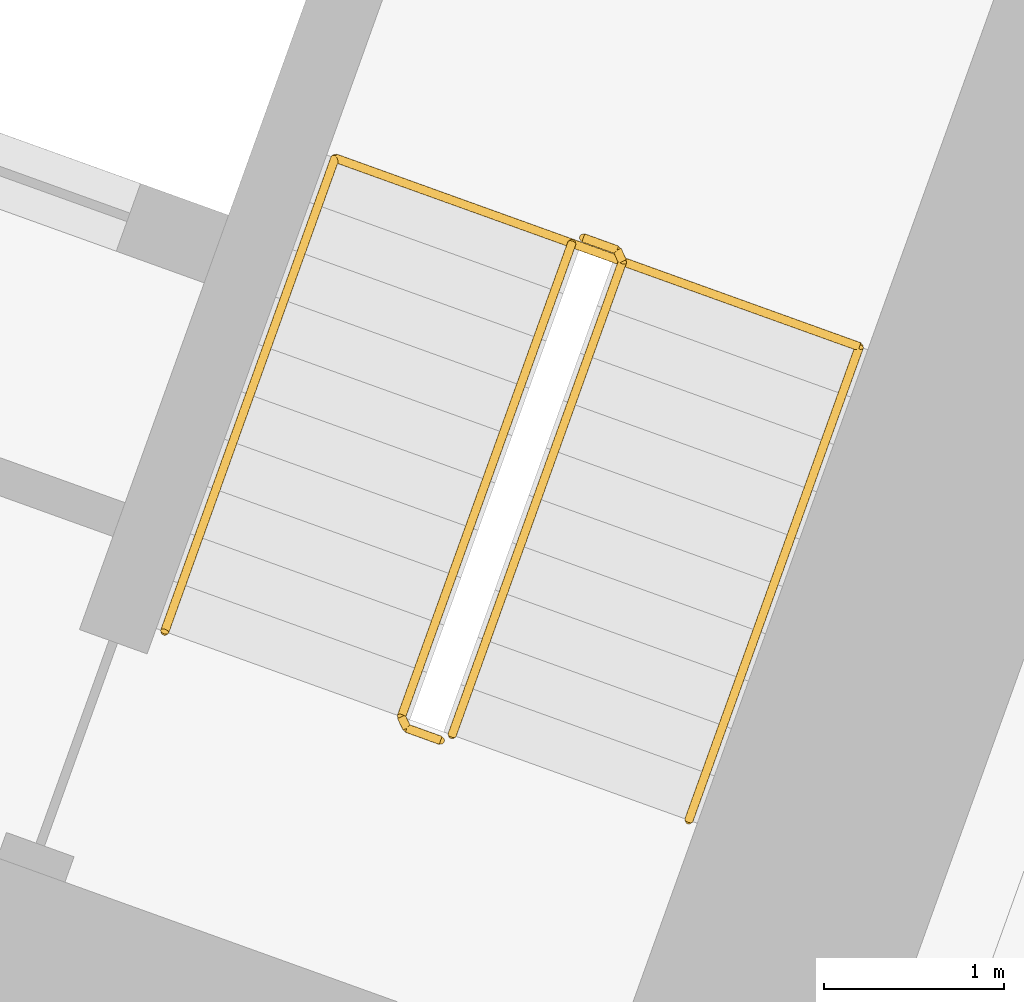
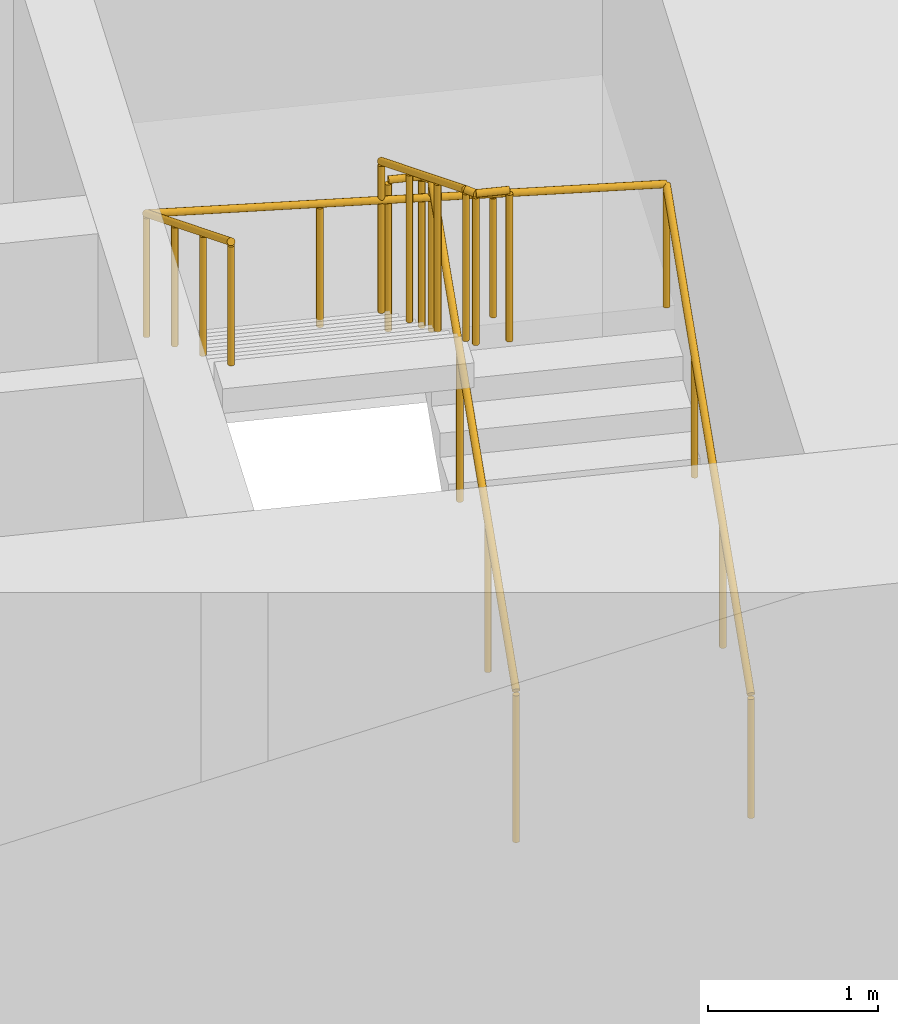
# One storey, part 19 of 19: 3 railings.
"""IFC4 building model written with IfcOpenShell, lengths in metres."""

from ifc_helpers import new_model, si_unit, direction, frame, origin, origin_2d, place, context, subcontext, project, spatial, circle, extrude, material, type_object, element, save


model = new_model("IFC4")

# Units and contexts
model_context = context("Model", 3, precision=1e-05, world=origin(), true_north=direction((0.0, 1.0)))
body_context = subcontext(model_context, "Body", "Model", "MODEL_VIEW")
ifc_project = project(units=[si_unit("LENGTHUNIT", "METRE"), si_unit("AREAUNIT", "SQUARE_METRE"), si_unit("VOLUMEUNIT", "CUBIC_METRE"), si_unit("PLANEANGLEUNIT", "RADIAN"), si_unit("MASSUNIT", "GRAM", prefix="KILO")], contexts=[model_context])

# Site, building, storey
site_placement = place(None, origin())
site = spatial("IfcSite", under=ifc_project, at=site_placement, CompositionType="ELEMENT")
building_placement = place(site_placement, origin())
building = spatial("IfcBuilding", under=site, at=building_placement, Name="Stone Belt Terrace Tower", CompositionType="ELEMENT")
storey_placement = place(building_placement, frame((0.0, 0.0, 128.800048828125)))
storey = spatial("IfcBuildingStorey", under=building, at=storey_placement, Name="L31", CompositionType="ELEMENT", Elevation=128.800048828125)

# Railings
ifc_material = material(Name="Structural steel C345", Category="steel")
railing_type_1 = type_object("IfcRailingType", Name="Stair guard 1100", PredefinedType="GUARDRAIL", material=ifc_material)
railing_1_placement = place(storey_placement, frame((24.494140625, 45.174560546875, 0.172607421875)))
element("IfcRailing", 1, at=railing_1_placement, inside=storey, type_object=railing_type_1, Name="L31 ST1B stair guard 1", PredefinedType="GUARDRAIL", context=body_context, shape_type="SweptSolid", body=[
    extrude(circle(Radius=0.02392578125, at=origin_2d()), frame((0.0, 0.0, 1.076171875), z_axis=(0.288228637646, 0.800791768495, 0.525030280985), x_axis=(-0.940908529223, 0.338660803216, 0.0)), (0.0, 0.0, 1.0), 3.289794921875),
    extrude(circle(Radius=0.02392578125, at=origin_2d()), frame((0.9482421875, 2.634521484375, 2.80322265625), z_axis=(-0.424964916, 0.905209821074, 0.0), x_axis=(-0.905209821074, -0.424964916, 0.0)), (0.0, 0.0, 1.0), 0.070556640625),
    extrude(circle(Radius=0.02392578125, at=origin_2d()), frame((0.918212890625, 2.698486328125, 2.80322265625), z_axis=(-0.941105063269, 0.338114270461, 0.0), x_axis=(-0.338114270461, -0.941105063269, 0.0)), (0.0, 0.0, 1.0), 0.199951171875),
    extrude(circle(Radius=0.02099609375, at=origin_2d()), origin(), (0.0, 0.0, 1.0), 1.052001953125),
    extrude(circle(Radius=0.02099609375, at=origin_2d()), frame((0.316162109375, 0.878173828125, 0.57568359375)), (0.0, 0.0, 1.0), 1.052001953125),
    extrude(circle(Radius=0.02099609375, at=origin_2d()), frame((0.632080078125, 1.75634765625, 1.151611328125)), (0.0, 0.0, 1.0), 1.052001953125),
    extrude(circle(Radius=0.02099609375, at=origin_2d()), frame((0.9482421875, 2.634521484375, 1.727294921875)), (0.0, 0.0, 1.0), 1.052001953125),
    extrude(circle(Radius=0.02099609375, at=origin_2d()), frame((0.918212890625, 2.698486328125, 1.727294921875)), (0.0, 0.0, 1.0), 1.052001953125),
    extrude(circle(Radius=0.02099609375, at=origin_2d()), frame((0.72998046875, 2.76611328125, 1.727294921875)), (0.0, 0.0, 1.0), 1.052001953125),
])
railing_2_placement = place(storey_placement, frame((25.16015625, 47.91064453125, 2.07275390625)))
element("IfcRailing", 2, at=railing_2_placement, inside=storey, type_object=railing_type_1, Name="L31 ST1B stair guard 2", PredefinedType="GUARDRAIL", context=body_context, shape_type="SweptSolid", body=[
    extrude(circle(Radius=0.02392578125, at=origin_2d()), frame((0.0, 0.0, 1.076171875), z_axis=(-0.288228637646, -0.800791768495, 0.525030280985), x_axis=(0.940908529223, -0.338660803216, 0.0)), (0.0, 0.0, 1.0), 3.289794921875),
    extrude(circle(Radius=0.02392578125, at=origin_2d()), frame((-0.9482421875, -2.634521484375, 2.80322265625), z_axis=(0.427789722475, -0.903878284585, 0.0), x_axis=(0.903878284585, 0.427789722475, 0.0)), (0.0, 0.0, 1.0), 0.07080078125),
    extrude(circle(Radius=0.02392578125, at=origin_2d()), frame((-0.91796875, -2.698486328125, 2.80322265625), z_axis=(0.940575576748, -0.339584429008, 0.0), x_axis=(0.339584429008, 0.940575576748, 0.0)), (0.0, 0.0, 1.0), 0.199951171875),
    extrude(circle(Radius=0.02099609375, at=origin_2d()), origin(), (0.0, 0.0, 1.0), 1.052001953125),
    extrude(circle(Radius=0.02099609375, at=origin_2d()), frame((-0.316162109375, -0.878173828125, 0.57568359375)), (0.0, 0.0, 1.0), 1.052001953125),
    extrude(circle(Radius=0.02099609375, at=origin_2d()), frame((-0.632080078125, -1.75634765625, 1.151611328125)), (0.0, 0.0, 1.0), 1.052001953125),
    extrude(circle(Radius=0.02099609375, at=origin_2d()), frame((-0.9482421875, -2.634521484375, 1.727294921875)), (0.0, 0.0, 1.0), 1.052001953125),
    extrude(circle(Radius=0.02099609375, at=origin_2d()), frame((-0.91796875, -2.698486328125, 1.727294921875)), (0.0, 0.0, 1.0), 1.052001953125),
    extrude(circle(Radius=0.02099609375, at=origin_2d()), frame((-0.72998046875, -2.766357421875, 1.727294921875)), (0.0, 0.0, 1.0), 1.052001953125),
])
railing_type_2 = type_object("IfcRailingType", Name="Stair handrail 900", PredefinedType="HANDRAIL", material=ifc_material)
railing_3_placement = place(storey_placement, frame((25.8115234375, 44.700439453125, 0.172607421875)))
element("IfcRailing", 3, at=railing_3_placement, inside=storey, type_object=railing_type_2, Name="L31 ST1B stair handrail 1", PredefinedType="HANDRAIL", context=body_context, shape_type="SweptSolid", body=[
    extrude(circle(Radius=0.02392578125, at=origin_2d()), frame((0.0, 0.0, 0.8759765625), z_axis=(0.288228637646, 0.800791768495, 0.525030280985), x_axis=(-0.940908529223, 0.338660803216, 0.0)), (0.0, 0.0, 1.0), 3.289794921875),
    extrude(circle(Radius=0.02392578125, at=origin_2d()), frame((0.9482421875, 2.634521484375, 2.60302734375), z_axis=(-0.939460408074, 0.338105101667, 0.055669398135), x_axis=(-0.338630230244, -0.940919532779, 0.0)), (0.0, 0.0, 1.0), 3.10498046875),
    extrude(circle(Radius=0.02392578125, at=origin_2d()), frame((-1.96875, 3.684326171875, 2.77587890625), z_axis=(-0.288160591223, -0.800808895155, 0.52504150989), x_axis=(0.940936311087, -0.338583606334, 0.0)), (0.0, 0.0, 1.0), 3.289794921875),
    extrude(circle(Radius=0.02099609375, at=origin_2d()), origin(), (0.0, 0.0, 1.0), 0.851806640625),
    extrude(circle(Radius=0.02099609375, at=origin_2d()), frame((0.316162109375, 0.878173828125, 0.57568359375)), (0.0, 0.0, 1.0), 0.851806640625),
    extrude(circle(Radius=0.02099609375, at=origin_2d()), frame((0.632080078125, 1.75634765625, 1.151611328125)), (0.0, 0.0, 1.0), 0.851806640625),
    extrude(circle(Radius=0.02099609375, at=origin_2d()), frame((0.9482421875, 2.634521484375, 1.727294921875)), (0.0, 0.0, 1.0), 0.851806640625),
    extrude(circle(Radius=0.02099609375, at=origin_2d()), frame((-0.024169921875, 2.984375, 1.784912109375)), (0.0, 0.0, 1.0), 0.851806640625),
    extrude(circle(Radius=0.02099609375, at=origin_2d()), frame((-0.996337890625, 3.33447265625, 1.842529296875)), (0.0, 0.0, 1.0), 0.851806640625),
    extrude(circle(Radius=0.02099609375, at=origin_2d()), frame((-1.96875, 3.684326171875, 1.900146484375)), (0.0, 0.0, 1.0), 0.851806640625),
    extrude(circle(Radius=0.02099609375, at=origin_2d()), frame((-2.28466796875, 2.80615234375, 2.475830078125)), (0.0, 0.0, 1.0), 0.851806640625),
    extrude(circle(Radius=0.02099609375, at=origin_2d()), frame((-2.600830078125, 1.927978515625, 3.0517578125)), (0.0, 0.0, 1.0), 0.851806640625),
    extrude(circle(Radius=0.02099609375, at=origin_2d()), frame((-2.916748046875, 1.0498046875, 3.62744140625)), (0.0, 0.0, 1.0), 0.851806640625),
])

save(model, "model.ifc")
